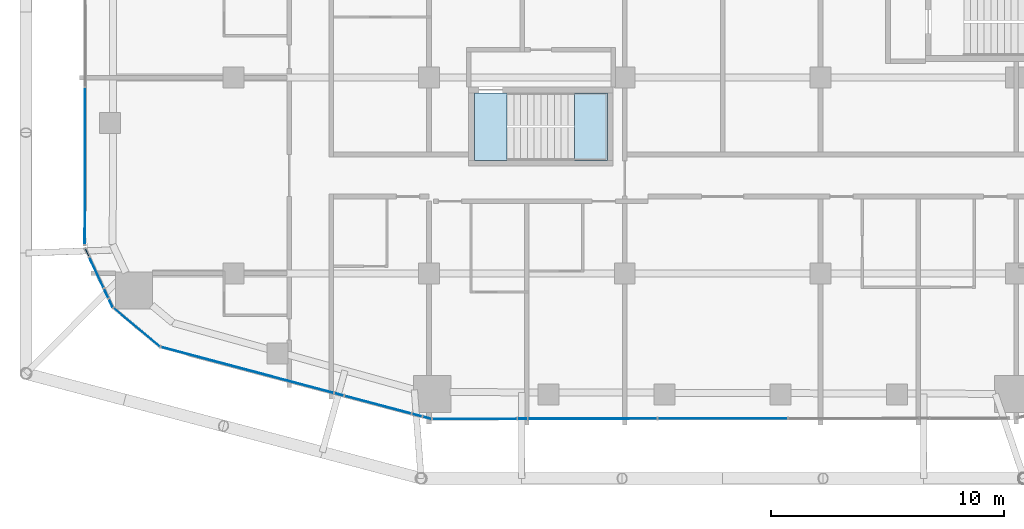
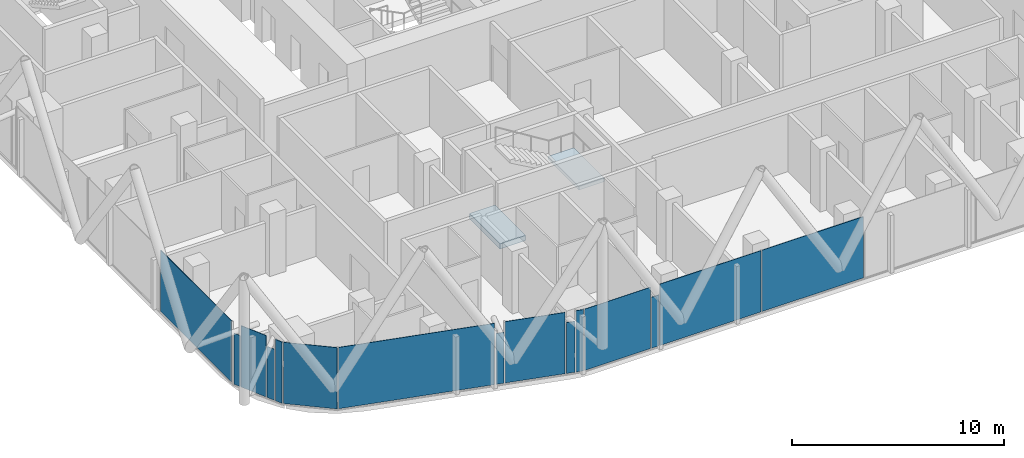
# One storey, part 19 of 36: 15 plates, 2 slabs, 15 elements without a shape of their own.
"""IFC4 building model written with IfcOpenShell, lengths in metres."""

from ifc_helpers import new_model, si_unit, direction, frame, origin, origin_2d, place, context, subcontext, project, spatial, polyline, rectangle, outline, extrude, material, layer, layer_set, type_object, element, aggregate, save


model = new_model("IFC4")

# Units and contexts
model_context = context("Model", 3, precision=1e-05, world=origin(), true_north=direction((0.0, 1.0)))
body_context = subcontext(model_context, "Body", "Model", "MODEL_VIEW")
ifc_project = project(units=[si_unit("LENGTHUNIT", "METRE"), si_unit("AREAUNIT", "SQUARE_METRE"), si_unit("VOLUMEUNIT", "CUBIC_METRE"), si_unit("PLANEANGLEUNIT", "RADIAN"), si_unit("MASSUNIT", "GRAM", prefix="KILO")], contexts=[model_context])

# Site, building, storey
site_placement = place(None, origin())
site = spatial("IfcSite", under=ifc_project, at=site_placement, CompositionType="ELEMENT")
building_placement = place(site_placement, origin())
building = spatial("IfcBuilding", under=site, at=building_placement, Name="Marenta Gate Hotel Tower", CompositionType="ELEMENT")
storey_placement = place(building_placement, frame((0.0, 0.0, 115.699951171875)))
storey = spatial("IfcBuildingStorey", under=building, at=storey_placement, Name="L25", CompositionType="ELEMENT", Elevation=115.699951171875)

# Curtain wall, plate
ifc_material_1 = material(Name="Tinted insulated glass in bronze anodised frame", Category="glass")
ifc_layer_1 = layer(ifc_material_1, 0.1201171875)
ifc_layer_set_1 = layer_set([ifc_layer_1], Name="Tinted insulated glass in bronze anodised frame")
curtain_wall_type = type_object("IfcCurtainWallType", Name="Tower unitised curtain wall CW1", PredefinedType="NOTDEFINED", material=ifc_layer_set_1)
curtain_wall_1_placement = place(storey_placement, origin())
curtain_wall_1 = element("IfcCurtainWall", 1, at=curtain_wall_1_placement, inside=storey, type_object=curtain_wall_type, Name="CW1 run G08", PredefinedType="NOTDEFINED")
ifc_material_2 = material(Name="Tinted insulated glass", Category="glass")
ifc_layer_2 = layer(ifc_material_2, 0.028076171875)
ifc_layer_set_2 = layer_set([ifc_layer_2], Name="Tinted insulated glass")
plate_type = type_object("IfcPlateType", Name="Glass panel CW1 28 mm tinted insulated unit", PredefinedType="CURTAIN_PANEL", material=ifc_layer_set_2)
plate_1_placement = place(storey_placement, frame((-27.367431640625, -12.190185546875, 0.06005859375), z_axis=(0.0, 0.0, 1.0), x_axis=(-0.001564882094, -0.999998775571, 0.0)))
plate_1 = element("IfcPlate", 2, at=plate_1_placement, type_object=plate_type, Name="CW1 panel 3.1", PredefinedType="CURTAIN_PANEL", context=body_context, shape_type="SweptSolid", body=[
    extrude(rectangle(XDim=6.726318359375, YDim=0.028076171875, at=origin_2d()), origin(), (0.0, 0.0, 1.0), 3.5400390625),
])
aggregate(curtain_wall_1, [plate_1])

curtain_wall_2_placement = place(storey_placement, origin())
curtain_wall_2 = element("IfcCurtainWall", 3, at=curtain_wall_2_placement, inside=storey, type_object=curtain_wall_type, Name="CW1 run G09", PredefinedType="NOTDEFINED")
plate_2_placement = place(storey_placement, frame((-27.274658203125, -15.904296875, 0.06005859375), z_axis=(0.0, 0.0, 1.0), x_axis=(0.423345141478, -0.905968482447, 0.0)))
plate_2 = element("IfcPlate", 4, at=plate_2_placement, type_object=plate_type, Name="CW1 panel 1.1", PredefinedType="CURTAIN_PANEL", context=body_context, shape_type="SweptSolid", body=[
    extrude(rectangle(XDim=0.344970703125, YDim=0.028076171875, at=origin_2d()), origin(), (0.0, 0.0, 1.0), 2.9404296875),
])
aggregate(curtain_wall_2, [plate_2])

curtain_wall_3_placement = place(storey_placement, origin())
curtain_wall_3 = element("IfcCurtainWall", 5, at=curtain_wall_3_placement, inside=storey, type_object=curtain_wall_type, Name="CW1 run G10", PredefinedType="NOTDEFINED")
plate_3_placement = place(storey_placement, frame((-26.872802734375, -16.76416015625, 0.06005859375), z_axis=(0.0, 0.0, 1.0), x_axis=(0.423347389488, -0.905967431983, 0.0)))
plate_3 = element("IfcPlate", 6, at=plate_3_placement, type_object=plate_type, Name="CW1 panel 1.1", PredefinedType="CURTAIN_PANEL", context=body_context, shape_type="SweptSolid", body=[
    extrude(rectangle(XDim=1.43310546875, YDim=0.028076171875, at=origin_2d()), origin(), (0.0, 0.0, 1.0), 3.5400390625),
])
aggregate(curtain_wall_3, [plate_3])

curtain_wall_4_placement = place(storey_placement, origin())
curtain_wall_4 = element("IfcCurtainWall", 7, at=curtain_wall_4_placement, inside=storey, type_object=curtain_wall_type, Name="CW1 run G11", PredefinedType="NOTDEFINED")
plate_4_placement = place(storey_placement, frame((-26.45458984375, -17.6591796875, 0.06005859375), z_axis=(0.0, 0.0, 1.0), x_axis=(0.423361641148, -0.905960772222, 0.0)))
plate_4 = element("IfcPlate", 8, at=plate_4_placement, type_object=plate_type, Name="CW1 panel 1.1", PredefinedType="CURTAIN_PANEL", context=body_context, shape_type="SweptSolid", body=[
    extrude(rectangle(XDim=0.4228515625, YDim=0.028076171875, at=origin_2d()), origin(), (0.0, 0.0, 1.0), 2.9404296875),
])
aggregate(curtain_wall_4, [plate_4])

curtain_wall_5_placement = place(storey_placement, origin())
curtain_wall_5 = element("IfcCurtainWall", 9, at=curtain_wall_5_placement, inside=storey, type_object=curtain_wall_type, Name="CW1 run G12", PredefinedType="NOTDEFINED")
plate_5_placement = place(storey_placement, frame((-26.25732421875, -18.081298828125, 0.06005859375), z_axis=(0.0, 0.0, 1.0), x_axis=(0.42327548639, -0.906001027936, 0.0)))
plate_5 = element("IfcPlate", 10, at=plate_5_placement, type_object=plate_type, Name="CW1 panel 1.1", PredefinedType="CURTAIN_PANEL", context=body_context, shape_type="SweptSolid", body=[
    extrude(rectangle(XDim=0.38916015625, YDim=0.028076171875, at=origin_2d()), origin(), (0.0, 0.0, 1.0), 3.5400390625),
])
aggregate(curtain_wall_5, [plate_5])

curtain_wall_6_placement = place(storey_placement, origin())
curtain_wall_6 = element("IfcCurtainWall", 11, at=curtain_wall_6_placement, inside=storey, type_object=curtain_wall_type, Name="CW1 run G13", PredefinedType="NOTDEFINED")
plate_6_placement = place(storey_placement, frame((-25.14111328125, -19.1220703125, 0.06005859375), z_axis=(0.0, 0.0, 1.0), x_axis=(0.767112858807, -0.641512168126, 0.0)))
plate_6 = element("IfcPlate", 12, at=plate_6_placement, type_object=plate_type, Name="CW1 panel 1.1", PredefinedType="CURTAIN_PANEL", context=body_context, shape_type="SweptSolid", body=[
    extrude(rectangle(XDim=2.5751953125, YDim=0.028076171875, at=origin_2d()), origin(), (0.0, 0.0, 1.0), 3.5400390625),
])
aggregate(curtain_wall_6, [plate_6])

curtain_wall_7_placement = place(storey_placement, origin())
curtain_wall_7 = element("IfcCurtainWall", 13, at=curtain_wall_7_placement, inside=storey, type_object=curtain_wall_type, Name="CW1 run G14", PredefinedType="NOTDEFINED")
plate_7_placement = place(storey_placement, frame((-20.40185546875, -20.946533203125, 0.06005859375), z_axis=(0.0, 0.0, 1.0), x_axis=(0.96637246488, -0.257146376841, 0.0)))
plate_7 = element("IfcPlate", 14, at=plate_7_placement, type_object=plate_type, Name="CW1 panel 1.1", PredefinedType="CURTAIN_PANEL", context=body_context, shape_type="SweptSolid", body=[
    extrude(rectangle(XDim=7.644287109375, YDim=0.028076171875, at=origin_2d()), origin(), (0.0, 0.0, 1.0), 3.5400390625),
])
aggregate(curtain_wall_7, [plate_7])

curtain_wall_8_placement = place(storey_placement, origin())
curtain_wall_8 = element("IfcCurtainWall", 15, at=curtain_wall_8_placement, inside=storey, type_object=curtain_wall_type, Name="CW1 run G15", PredefinedType="NOTDEFINED")
plate_8_placement = place(storey_placement, frame((-16.46044921875, -21.995361328125, 0.06005859375), z_axis=(0.0, 0.0, 1.0), x_axis=(0.966370359942, -0.257154287199, 0.0)))
plate_8 = element("IfcPlate", 16, at=plate_8_placement, type_object=plate_type, Name="CW1 panel 1.1", PredefinedType="CURTAIN_PANEL", context=body_context, shape_type="SweptSolid", body=[
    extrude(rectangle(XDim=0.39306640625, YDim=0.028076171875, at=origin_2d()), origin(), (0.0, 0.0, 1.0), 2.9404296875),
])
aggregate(curtain_wall_8, [plate_8])

curtain_wall_9_placement = place(storey_placement, origin())
curtain_wall_9 = element("IfcCurtainWall", 17, at=curtain_wall_9_placement, inside=storey, type_object=curtain_wall_type, Name="CW1 run G16", PredefinedType="NOTDEFINED")
plate_9_placement = place(storey_placement, frame((-14.794921875, -22.4384765625, 0.06005859375), z_axis=(0.0, 0.0, 1.0), x_axis=(0.966375613628, -0.257134543351, 0.0)))
plate_9 = element("IfcPlate", 18, at=plate_9_placement, type_object=plate_type, Name="CW1 panel 1.1", PredefinedType="CURTAIN_PANEL", context=body_context, shape_type="SweptSolid", body=[
    extrude(rectangle(XDim=2.933837890625, YDim=0.028076171875, at=origin_2d()), origin(), (0.0, 0.0, 1.0), 3.5400390625),
])
aggregate(curtain_wall_9, [plate_9])

curtain_wall_10_placement = place(storey_placement, origin())
curtain_wall_10 = element("IfcCurtainWall", 19, at=curtain_wall_10_placement, inside=storey, type_object=curtain_wall_type, Name="CW1 run G17", PredefinedType="NOTDEFINED")
plate_10_placement = place(storey_placement, frame((-13.11669921875, -22.885009765625, 0.06005859375), z_axis=(0.0, 0.0, 1.0), x_axis=(0.966404263523, -0.257026845764, 0.0)))
plate_10 = element("IfcPlate", 20, at=plate_10_placement, type_object=plate_type, Name="CW1 panel 1.1", PredefinedType="CURTAIN_PANEL", context=body_context, shape_type="SweptSolid", body=[
    extrude(rectangle(XDim=0.419677734375, YDim=0.028076171875, at=origin_2d()), origin(), (0.0, 0.0, 1.0), 2.9404296875),
])
aggregate(curtain_wall_10, [plate_10])

curtain_wall_11_placement = place(storey_placement, origin())
curtain_wall_11 = element("IfcCurtainWall", 21, at=curtain_wall_11_placement, inside=storey, type_object=curtain_wall_type, Name="CW1 run G18", PredefinedType="NOTDEFINED")
plate_11_placement = place(storey_placement, frame((-12.680908203125, -23.0009765625, 0.06005859375), z_axis=(0.0, 0.0, 1.0), x_axis=(0.966337096576, -0.257279256414, 0.0)))
plate_11 = element("IfcPlate", 22, at=plate_11_placement, type_object=plate_type, Name="CW1 panel 1.1", PredefinedType="CURTAIN_PANEL", context=body_context, shape_type="SweptSolid", body=[
    extrude(rectangle(XDim=0.362060546875, YDim=0.028076171875, at=origin_2d()), origin(), (0.0, 0.0, 1.0), 3.5400390625),
])
aggregate(curtain_wall_11, [plate_11])

curtain_wall_12_placement = place(storey_placement, origin())
curtain_wall_12 = element("IfcCurtainWall", 23, at=curtain_wall_12_placement, inside=storey, type_object=curtain_wall_type, Name="CW1 run G19", PredefinedType="NOTDEFINED")
plate_12_placement = place(storey_placement, frame((-10.64501953125, -23.044921875, 0.06005859375), z_axis=(0.0, 0.0, 1.0), x_axis=(0.999999067674, 0.001365521987, 0.0)))
plate_12 = element("IfcPlate", 24, at=plate_12_placement, type_object=plate_type, Name="CW1 panel 1.1", PredefinedType="CURTAIN_PANEL", context=body_context, shape_type="SweptSolid", body=[
    extrude(rectangle(XDim=3.6015625, YDim=0.028076171875, at=origin_2d()), origin(), (0.0, 0.0, 1.0), 3.5400390625),
])
aggregate(curtain_wall_12, [plate_12])

curtain_wall_13_placement = place(storey_placement, origin())
curtain_wall_13 = element("IfcCurtainWall", 25, at=curtain_wall_13_placement, inside=storey, type_object=curtain_wall_type, Name="CW1 run G20", PredefinedType="NOTDEFINED")
plate_13_placement = place(storey_placement, frame((-8.587890625, -23.042236328125, 0.06005859375), z_axis=(0.0, 0.0, 1.0), x_axis=(0.999999122847, 0.001324502144, 0.0)))
plate_13 = element("IfcPlate", 26, at=plate_13_placement, type_object=plate_type, Name="CW1 panel 1.1", PredefinedType="CURTAIN_PANEL", context=body_context, shape_type="SweptSolid", body=[
    extrude(rectangle(XDim=0.39306640625, YDim=0.028076171875, at=origin_2d()), origin(), (0.0, 0.0, 1.0), 2.9404296875),
])
aggregate(curtain_wall_13, [plate_13])

# Curtain wall, plates
curtain_wall_14_placement = place(storey_placement, origin())
curtain_wall_14 = element("IfcCurtainWall", 27, at=curtain_wall_14_placement, inside=storey, type_object=curtain_wall_type, Name="CW1 run G21", PredefinedType="NOTDEFINED")
plate_14_placement = place(storey_placement, frame((-5.576416015625, -23.0380859375, 0.06005859375), z_axis=(0.0, 0.0, 1.0), x_axis=(0.999999070887, 0.001363166999, 0.0)))
plate_14 = element("IfcPlate", 28, at=plate_14_placement, type_object=plate_type, Name="CW1 panel 1.1", PredefinedType="CURTAIN_PANEL", context=body_context, shape_type="SweptSolid", body=[
    extrude(rectangle(XDim=5.509765625, YDim=0.028076171875, at=origin_2d()), origin(), (0.0, 0.0, 1.0), 3.5400390625),
])
plate_15_placement = place(storey_placement, frame((0.00830078125, -23.030517578125, 0.06005859375), z_axis=(0.0, 0.0, 1.0), x_axis=(0.999999070887, 0.001363166999, 0.0)))
plate_15 = element("IfcPlate", 29, at=plate_15_placement, type_object=plate_type, Name="CW1 panel 2.1", PredefinedType="CURTAIN_PANEL", context=body_context, shape_type="SweptSolid", body=[
    extrude(rectangle(XDim=5.539794921875, YDim=0.028076171875, at=origin_2d()), origin(), (0.0, 0.0, 1.0), 3.5400390625),
])
aggregate(curtain_wall_14, [plate_14, plate_15])

# Stair, slab
ifc_material_3 = material(Name="Concrete C40", Category="concrete")
stair_type = type_object("IfcStairType", Name="Remote exit stair 1400 wide", PredefinedType="HALF_TURN_STAIR", material=ifc_material_3)
stair_placement = place(storey_placement, origin())
stair = element("IfcStair", 30, at=stair_placement, inside=storey, type_object=stair_type, Name="Exit stair RS-Z2-1", PredefinedType="HALF_TURN_STAIR")
ifc_material_4 = material(Name="Concrete C40", Category="concrete")
ifc_layer_3 = layer(ifc_material_4, 0.199951171875)
ifc_layer_set_3 = layer_set([ifc_layer_3], Name="Concrete C40")
slab_type_1 = type_object("IfcSlabType", Name="Remote stair landing 200", PredefinedType="LANDING", material=ifc_layer_set_3)
slab_1_placement = place(storey_placement, frame((0.0, 0.0, 1.60009765625)))
slab_1 = element("IfcSlab", 31, at=slab_1_placement, type_object=slab_type_1, Name="RL-200 RS-Z2-1 landing 1", PredefinedType="LANDING", context=body_context, shape_type="SweptSolid", body=[
    extrude(outline(polyline([(-6.35009765625, -11.949951171875), (-4.949951171875, -11.949951171875), (-4.949951171875, -9.050048828125), (-6.35009765625, -9.050048828125), (-6.35009765625, -11.949951171875)])), origin(), (0.0, 0.0, 1.0), 0.199951171875),
])
aggregate(stair, [slab_1])

# Slab
ifc_material_5 = material(Name="Concrete C40", Category="concrete")
ifc_layer_4 = layer(ifc_material_5, 0.300048828125)
ifc_layer_set_4 = layer_set([ifc_layer_4], Name="Concrete C40")
slab_type_2 = type_object("IfcSlabType", Name="Stair floor landing slab 300", PredefinedType="FLOOR", material=ifc_layer_set_4)
slab_2_placement = place(storey_placement, frame((0.0, 0.0, -0.300048828125)))
element("IfcSlab", 32, at=slab_2_placement, inside=storey, type_object=slab_type_2, Name="L25-RS-Z2-1-CL", PredefinedType="FLOOR", context=body_context, shape_type="SweptSolid", body=[
    extrude(outline(polyline([(-9.25, -11.949951171875), (-9.25, -9.050048828125), (-10.64990234375, -9.050048828125), (-10.64990234375, -11.949951171875), (-9.25, -11.949951171875)])), origin(), (0.0, 0.0, 1.0), 0.300048828125),
])

save(model, "model.ifc")
